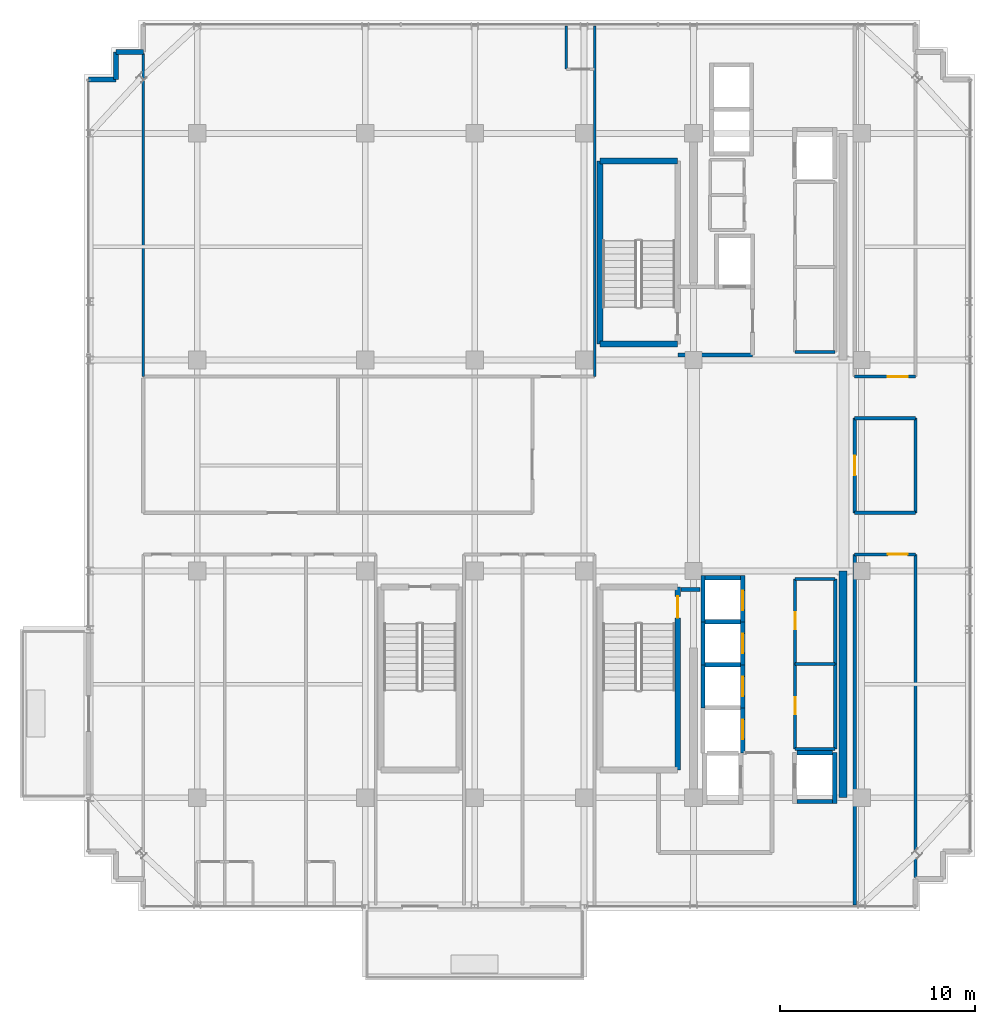
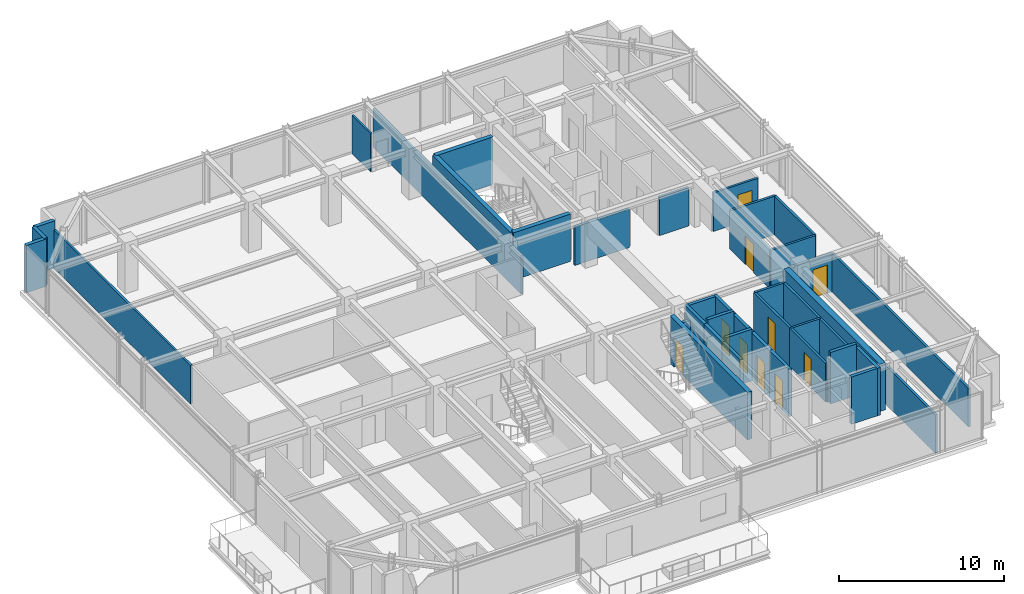
# One storey, part 26 of 31: 42 walls, 10 doors, 10 openings.
"""IFC4 building model written with IfcOpenShell, lengths in metres."""

from ifc_helpers import new_model, si_unit, direction, frame, frame_2d, origin, place, context, subcontext, project, spatial, rectangle, extrude, source, transform, mapped, material, layer, layer_set, type_object, element, fill, save


model = new_model("IFC4")

# Units and contexts
model_context = context("Model", 3, precision=1e-05, world=origin(), true_north=direction((0.0, 1.0)))
body_context = subcontext(model_context, "Body", "Model", "MODEL_VIEW")
ifc_project = project(units=[si_unit("LENGTHUNIT", "METRE"), si_unit("AREAUNIT", "SQUARE_METRE"), si_unit("VOLUMEUNIT", "CUBIC_METRE"), si_unit("PLANEANGLEUNIT", "RADIAN"), si_unit("MASSUNIT", "GRAM", prefix="KILO")], contexts=[model_context])

# Site, building, storey
site_placement = place(None, origin())
site = spatial("IfcSite", under=ifc_project, at=site_placement, CompositionType="ELEMENT")
building_placement = place(site_placement, origin())
building = spatial("IfcBuilding", under=site, at=building_placement, Name="Nahalor Promenade Grand Hotel", CompositionType="ELEMENT")
storey_placement = place(building_placement, frame((0.0, 0.0, 323.35009765625)))
storey = spatial("IfcBuildingStorey", under=building, at=storey_placement, Name="L83", CompositionType="ELEMENT", Elevation=323.35009765625)

# Walls
ifc_material_1 = material(Name="Concrete B-50 (C40/50)", Category="concrete")
ifc_layer_1 = layer(ifc_material_1, 0.39990234375)
ifc_layer_set_1 = layer_set([ifc_layer_1], Name="Concrete B-50 (C40/50)")
wall_type_1 = type_object("IfcWallType", Name="Wall-CoreShear-400", PredefinedType="SHEAR", material=ifc_layer_set_1)
shared_shape_1 = source(origin(), body_context, "Body", "SweptSolid", [
    extrude(rectangle(XDim=11.60009765625, YDim=0.39990234375, at=frame_2d((5.800048828125, 0.0))), origin(), (0.0, 0.0, 1.0), 3.5),
])
wall_1_placement = place(storey_placement, frame((16.050048828125, -17.0, 0.0), z_axis=(0.0, 0.0, 1.0), x_axis=(0.0, 1.0, 0.0)))
element("IfcWall", 1, at=wall_1_placement, inside=storey, type_object=wall_type_1, Name="CWALL-L83-SE", PredefinedType="SHEAR", context=body_context, shape_type="MappedRepresentation", body=[
    mapped(shared_shape_1, transform((0.0, 0.0, 0.0), scale=1.0)),
])
ifc_layer_2 = layer(ifc_material_1, 0.300048828125)
ifc_layer_set_2 = layer_set([ifc_layer_2], Name="Concrete B-50 (C40/50)")
wall_type_2 = type_object("IfcWallType", Name="Wall-ShaftShear-300", PredefinedType="SHEAR", material=ifc_layer_set_2)
shared_shape_2 = source(origin(), body_context, "Body", "SweptSolid", [
    extrude(rectangle(XDim=3.97998046875, YDim=0.300048828125, at=frame_2d((1.989990234375, 0.0))), origin(), (0.0, 0.0, 1.0), 3.5),
])
for number, where, z_axis, x_axis, name in (
    (2, (3.610107421875, 6.2099609375, 0.0), (0.0, 0.0, 1.0), (1.0, 0.0, 0.0), "L83 Exit Stair ST1 Shaft Wall S"),
    (3, (3.610107421875, 15.590087890625, 0.0), (0.0, 0.0, 1.0), (1.0, 0.0, 0.0), "L83 Exit Stair ST1 Shaft Wall N"),
):
    element("IfcWall", number, at=place(storey_placement, frame(where, z_axis=z_axis, x_axis=x_axis)), inside=storey, type_object=wall_type_2, Name=name, PredefinedType="SHEAR", context=body_context, shape_type="MappedRepresentation", body=[
        mapped(shared_shape_2, transform((0.0, 0.0, 0.0), scale=1.0)),
    ])
shared_shape_3 = source(origin(), body_context, "Body", "SweptSolid", [
    extrude(rectangle(XDim=9.380126953125, YDim=0.300048828125, at=frame_2d((4.68994140625, 0.0))), origin(), (0.0, 0.0, 1.0), 3.5),
])
wall_2_placement = place(storey_placement, frame((3.610107421875, 6.2099609375, 0.0), z_axis=(0.0, 0.0, 1.0), x_axis=(0.0, 1.0, 0.0)))
element("IfcWall", 4, at=wall_2_placement, inside=storey, type_object=wall_type_2, Name="L83 Exit Stair ST1 Shaft Wall W", PredefinedType="SHEAR", context=body_context, shape_type="MappedRepresentation", body=[
    mapped(shared_shape_3, transform((0.0, 0.0, 0.0), scale=1.0)),
])

# Wall, opening, door
wall_3_placement = place(storey_placement, frame((7.590087890625, -15.590087890625, 0.0), z_axis=(0.0, 0.0, 1.0), x_axis=(0.0, 1.0, 0.0)))
wall_3 = element("IfcWall", 5, at=wall_3_placement, inside=storey, type_object=wall_type_2, Name="L83 Exit Stair ST2 Shaft Wall E", PredefinedType="SHEAR", context=body_context, shape_type="MappedRepresentation", body=[
    mapped(shared_shape_3, transform((0.0, 0.0, 0.0), scale=1.0)),
])
opening_1_placement = place(wall_3_placement, frame((7.7900390625, 0.0, 0.0)))
opening_1 = element("IfcOpeningElement", 6, at=opening_1_placement, cuts=wall_3, Name="Opening D-ST1", PredefinedType="OPENING", context=body_context, shape_type="SweptSolid", body=[
    extrude(rectangle(XDim=1.10009765625, YDim=2.14990234375, at=frame_2d((0.550048828125, 1.074951171875))), frame((0.0, 0.159912109375, 0.0), z_axis=(0.0, -1.0, 0.0), x_axis=(1.0, 0.0, 0.0)), (0.0, 0.0, 1.0), 0.320068359375),
])
ifc_material_2 = material(Name="Steel S355JR", Category="steel")
door_type_1 = type_object("IfcDoorType", Name="Door-StairFire-1100", OperationType="NOTDEFINED", PredefinedType="DOOR", material=ifc_material_2)
shared_shape_4 = source(origin(), body_context, "Body", "SweptSolid", [
    extrude(rectangle(XDim=1.10009765625, YDim=2.14990234375, at=frame_2d((0.550048828125, 1.074951171875))), frame((0.0, 0.02490234375, 0.0), z_axis=(0.0, -1.0, 0.0), x_axis=(1.0, 0.0, 0.0)), (0.0, 0.0, 1.0), 0.050048828125),
])
door_1_placement = place(opening_1_placement, origin())
door_1 = element("IfcDoor", 7, at=door_1_placement, inside=storey, type_object=door_type_1, Name="DR-STAIR-ST2-L83", OperationType="SINGLE_SWING_RIGHT", OverallHeight=2.14990234375, OverallWidth=1.10009765625, PredefinedType="DOOR", context=body_context, shape_type="MappedRepresentation", body=[
    mapped(shared_shape_4, transform((0.0, 0.0, 0.0), scale=1.0)),
])
fill(opening_1, door_1)

# Wall
ifc_layer_3 = layer(ifc_material_1, 0.219970703125)
ifc_layer_set_3 = layer_set([ifc_layer_3], Name="Concrete B-50 (C40/50)")
wall_type_3 = type_object("IfcWallType", Name="Wall-LiftShaft-220", PredefinedType="SHEAR", material=ifc_layer_set_3)
shared_shape_5 = source(origin(), body_context, "Body", "SweptSolid", [
    extrude(rectangle(XDim=2.360107421875, YDim=0.219970703125, at=frame_2d((1.18017578125, 0.0))), origin(), (0.0, 0.0, 1.0), 3.5),
])
wall_4_placement = place(storey_placement, frame((8.8798828125, -8.0, 0.0), z_axis=(0.0, 0.0, 1.0), x_axis=(0.0, 1.0, 0.0)))
element("IfcWall", 8, at=wall_4_placement, inside=storey, type_object=wall_type_3, Name="L83 Lift PL9 Hoistway Wall W", PredefinedType="SHEAR", context=body_context, shape_type="MappedRepresentation", body=[
    mapped(shared_shape_5, transform((0.0, 0.0, 0.0), scale=1.0)),
])

# Wall, opening, door
wall_5_placement = place(storey_placement, frame((10.919921875, -8.0, 0.0), z_axis=(0.0, 0.0, 1.0), x_axis=(0.0, 1.0, 0.0)))
wall_5 = element("IfcWall", 9, at=wall_5_placement, inside=storey, type_object=wall_type_3, Name="L83 Lift PL9 Hoistway Wall E", PredefinedType="SHEAR", context=body_context, shape_type="MappedRepresentation", body=[
    mapped(shared_shape_5, transform((0.0, 0.0, 0.0), scale=1.0)),
])
opening_2_placement = place(wall_5_placement, frame((0.60009765625, 0.0, 0.0)))
opening_2 = element("IfcOpeningElement", 10, at=opening_2_placement, cuts=wall_5, Name="Opening LD-01", PredefinedType="OPENING", context=body_context, shape_type="SweptSolid", body=[
    extrude(rectangle(XDim=1.0, YDim=2.199951171875, at=frame_2d((0.5, 1.10009765625))), frame((0.0, 0.119873046875, 0.0), z_axis=(0.0, -1.0, 0.0), x_axis=(1.0, 0.0, 0.0)), (0.0, 0.0, 1.0), 0.239990234375),
])
door_type_2 = type_object("IfcDoorType", Name="Door-LiftLanding-1000", OperationType="DOUBLE_DOOR_SLIDING", PredefinedType="DOOR", material=ifc_material_2)
shared_shape_6 = source(origin(), body_context, "Body", "SweptSolid", [
    extrude(rectangle(XDim=1.0, YDim=2.199951171875, at=frame_2d((0.5, 1.10009765625))), frame((0.0, 0.02490234375, 0.0), z_axis=(0.0, -1.0, 0.0), x_axis=(1.0, 0.0, 0.0)), (0.0, 0.0, 1.0), 0.050048828125),
])
door_2_placement = place(opening_2_placement, frame((1.0, 0.0, 0.0), z_axis=(0.0, 0.0, 1.0), x_axis=(-1.0, 0.0, 0.0)))
door_2 = element("IfcDoor", 11, at=door_2_placement, inside=storey, type_object=door_type_2, Name="DR-LIFT-PL9-L83", OperationType="DOUBLE_DOOR_SLIDING", OverallHeight=2.199951171875, OverallWidth=1.0, PredefinedType="DOOR", context=body_context, shape_type="MappedRepresentation", body=[
    mapped(shared_shape_6, transform((0.0, 0.0, 0.0), scale=1.0)),
])
fill(opening_2, door_2)

# Walls
shared_shape_7 = source(origin(), body_context, "Body", "SweptSolid", [
    extrude(rectangle(XDim=1.820068359375, YDim=0.219970703125, at=frame_2d((0.91015625, 0.0))), origin(), (0.0, 0.0, 1.0), 3.5),
])
for number, where, z_axis, x_axis, name in (
    (12, (8.989990234375, -5.75, 0.0), (0.0, 0.0, 1.0), (1.0, 0.0, 0.0), "L83 Lift PL9 Hoistway Wall N"),
    (13, (13.68994140625, -17.199951171875, 0.0), (0.0, 0.0, 1.0), (1.0, 0.0, 0.0), "L83 Lift SV2 Hoistway Wall S"),
):
    element("IfcWall", number, at=place(storey_placement, frame(where, z_axis=z_axis, x_axis=x_axis)), inside=storey, type_object=wall_type_3, Name=name, PredefinedType="SHEAR", context=body_context, shape_type="MappedRepresentation", body=[
        mapped(shared_shape_7, transform((0.0, 0.0, 0.0), scale=1.0)),
    ])
shared_shape_8 = source(origin(), body_context, "Body", "SweptSolid", [
    extrude(rectangle(XDim=2.199951171875, YDim=0.219970703125, at=frame_2d((1.10009765625, 0.0))), origin(), (0.0, 0.0, 1.0), 3.5),
])
wall_6_placement = place(storey_placement, frame((8.8798828125, -10.199951171875, 0.0), z_axis=(0.0, 0.0, 1.0), x_axis=(0.0, 1.0, 0.0)))
element("IfcWall", 14, at=wall_6_placement, inside=storey, type_object=wall_type_3, Name="L83 Lift PL10 Hoistway Wall W", PredefinedType="SHEAR", context=body_context, shape_type="MappedRepresentation", body=[
    mapped(shared_shape_8, transform((0.0, 0.0, 0.0), scale=1.0)),
])

# Wall, opening, door
wall_7_placement = place(storey_placement, frame((10.919921875, -10.199951171875, 0.0), z_axis=(0.0, 0.0, 1.0), x_axis=(0.0, 1.0, 0.0)))
wall_7 = element("IfcWall", 15, at=wall_7_placement, inside=storey, type_object=wall_type_3, Name="L83 Lift PL10 Hoistway Wall E", PredefinedType="SHEAR", context=body_context, shape_type="MappedRepresentation", body=[
    mapped(shared_shape_8, transform((0.0, 0.0, 0.0), scale=1.0)),
])
opening_3_placement = place(wall_7_placement, frame((0.60009765625, 0.0, 0.0)))
opening_3 = element("IfcOpeningElement", 16, at=opening_3_placement, cuts=wall_7, Name="Opening LD-01", PredefinedType="OPENING", context=body_context, shape_type="SweptSolid", body=[
    extrude(rectangle(XDim=1.0, YDim=2.199951171875, at=frame_2d((0.5, 1.10009765625))), frame((0.0, 0.119873046875, 0.0), z_axis=(0.0, -1.0, 0.0), x_axis=(1.0, 0.0, 0.0)), (0.0, 0.0, 1.0), 0.239990234375),
])
door_3_placement = place(opening_3_placement, frame((1.0, 0.0, 0.0), z_axis=(0.0, 0.0, 1.0), x_axis=(-1.0, 0.0, 0.0)))
door_3 = element("IfcDoor", 17, at=door_3_placement, inside=storey, type_object=door_type_2, Name="DR-LIFT-PL10-L83", OperationType="DOUBLE_DOOR_SLIDING", OverallHeight=2.199951171875, OverallWidth=1.0, PredefinedType="DOOR", context=body_context, shape_type="MappedRepresentation", body=[
    mapped(shared_shape_6, transform((0.0, 0.0, 0.0), scale=1.0)),
])
fill(opening_3, door_3)

# Wall
wall_8_placement = place(storey_placement, frame((8.8798828125, -12.39990234375, 0.0), z_axis=(0.0, 0.0, 1.0), x_axis=(0.0, 1.0, 0.0)))
element("IfcWall", 18, at=wall_8_placement, inside=storey, type_object=wall_type_3, Name="L83 Lift PL11 Hoistway Wall W", PredefinedType="SHEAR", context=body_context, shape_type="MappedRepresentation", body=[
    mapped(shared_shape_8, transform((0.0, 0.0, 0.0), scale=1.0)),
])

# Wall, opening, door
wall_9_placement = place(storey_placement, frame((10.919921875, -12.39990234375, 0.0), z_axis=(0.0, 0.0, 1.0), x_axis=(0.0, 1.0, 0.0)))
wall_9 = element("IfcWall", 19, at=wall_9_placement, inside=storey, type_object=wall_type_3, Name="L83 Lift PL11 Hoistway Wall E", PredefinedType="SHEAR", context=body_context, shape_type="MappedRepresentation", body=[
    mapped(shared_shape_8, transform((0.0, 0.0, 0.0), scale=1.0)),
])
opening_4_placement = place(wall_9_placement, frame((0.60009765625, 0.0, 0.0)))
opening_4 = element("IfcOpeningElement", 20, at=opening_4_placement, cuts=wall_9, Name="Opening LD-01", PredefinedType="OPENING", context=body_context, shape_type="SweptSolid", body=[
    extrude(rectangle(XDim=1.0, YDim=2.199951171875, at=frame_2d((0.5, 1.10009765625))), frame((0.0, 0.119873046875, 0.0), z_axis=(0.0, -1.0, 0.0), x_axis=(1.0, 0.0, 0.0)), (0.0, 0.0, 1.0), 0.239990234375),
])
door_4_placement = place(opening_4_placement, frame((1.0, 0.0, 0.0), z_axis=(0.0, 0.0, 1.0), x_axis=(-1.0, 0.0, 0.0)))
door_4 = element("IfcDoor", 21, at=door_4_placement, inside=storey, type_object=door_type_2, Name="DR-LIFT-PL11-L83", OperationType="DOUBLE_DOOR_SLIDING", OverallHeight=2.199951171875, OverallWidth=1.0, PredefinedType="DOOR", context=body_context, shape_type="MappedRepresentation", body=[
    mapped(shared_shape_6, transform((0.0, 0.0, 0.0), scale=1.0)),
])
fill(opening_4, door_4)

# Walls
shared_shape_9 = source(origin(), body_context, "Body", "SweptSolid", [
    extrude(rectangle(XDim=1.820068359375, YDim=0.219970703125, at=frame_2d((0.91015625, 0.0))), origin(), (0.0, 0.0, 1.0), 3.7998046875),
])
for number, where, z_axis, x_axis, name in (
    (22, (8.989990234375, -8.0, 0.0), (0.0, 0.0, 1.0), (1.0, 0.0, 0.0), "L83 Lift PL10 Hoistway Wall N"),
    (23, (8.989990234375, -10.199951171875, 0.0), (0.0, 0.0, 1.0), (1.0, 0.0, 0.0), "L83 Lift PL11 Hoistway Wall N"),
    (24, (13.68994140625, -14.699951171875, 0.0), (0.0, 0.0, 1.0), (1.0, 0.0, 0.0), "L83 Lift SV2 Hoistway Wall N"),
):
    element("IfcWall", number, at=place(storey_placement, frame(where, z_axis=z_axis, x_axis=x_axis)), inside=storey, type_object=wall_type_3, Name=name, PredefinedType="SHEAR", context=body_context, shape_type="MappedRepresentation", body=[
        mapped(shared_shape_9, transform((0.0, 0.0, 0.0), scale=1.0)),
    ])

# Wall, opening, door
shared_shape_10 = source(origin(), body_context, "Body", "SweptSolid", [
    extrude(rectangle(XDim=2.3251953125, YDim=0.219970703125, at=frame_2d((1.16259765625, 0.0))), origin(), (0.0, 0.0, 1.0), 3.5),
])
wall_10_placement = place(storey_placement, frame((10.919921875, -14.72509765625, 0.0), z_axis=(0.0, 0.0, 1.0), x_axis=(0.0, 1.0, 0.0)))
wall_10 = element("IfcWall", 25, at=wall_10_placement, inside=storey, type_object=wall_type_3, Name="L83 Lift PL12 Hoistway Wall E", PredefinedType="SHEAR", context=body_context, shape_type="MappedRepresentation", body=[
    mapped(shared_shape_10, transform((0.0, 0.0, 0.0), scale=1.0)),
])
opening_5_placement = place(wall_10_placement, frame((0.72509765625, 0.0, 0.0)))
opening_5 = element("IfcOpeningElement", 26, at=opening_5_placement, cuts=wall_10, Name="Opening LD-01", PredefinedType="OPENING", context=body_context, shape_type="SweptSolid", body=[
    extrude(rectangle(XDim=1.0, YDim=2.199951171875, at=frame_2d((0.5, 1.10009765625))), frame((0.0, 0.119873046875, 0.0), z_axis=(0.0, -1.0, 0.0), x_axis=(1.0, 0.0, 0.0)), (0.0, 0.0, 1.0), 0.239990234375),
])
door_5_placement = place(opening_5_placement, frame((1.0, 0.0, 0.0), z_axis=(0.0, 0.0, 1.0), x_axis=(-1.0, 0.0, 0.0)))
door_5 = element("IfcDoor", 27, at=door_5_placement, inside=storey, type_object=door_type_2, Name="DR-LIFT-PL12-L83", OperationType="DOUBLE_DOOR_SLIDING", OverallHeight=2.199951171875, OverallWidth=1.0, PredefinedType="DOOR", context=body_context, shape_type="MappedRepresentation", body=[
    mapped(shared_shape_6, transform((0.0, 0.0, 0.0), scale=1.0)),
])
fill(opening_5, door_5)

# Walls
shared_shape_11 = source(origin(), body_context, "Body", "SweptSolid", [
    extrude(rectangle(XDim=2.610107421875, YDim=0.219970703125, at=frame_2d((1.30517578125, 0.0))), origin(), (0.0, 0.0, 1.0), 3.5),
])
wall_11_placement = place(storey_placement, frame((15.6201171875, -17.31005859375, 0.0), z_axis=(0.0, 0.0, 1.0), x_axis=(0.0, 1.0, 0.0)))
element("IfcWall", 28, at=wall_11_placement, inside=storey, type_object=wall_type_3, Name="L83 Lift SV2 Hoistway Wall E", PredefinedType="SHEAR", context=body_context, shape_type="MappedRepresentation", body=[
    mapped(shared_shape_11, transform((0.0, 0.0, 0.0), scale=1.0)),
])
ifc_material_3 = material(Name="Concrete B-40 (C32/40)", Category="concrete")
ifc_layer_4 = layer(ifc_material_3, 0.25)
ifc_layer_set_4 = layer_set([ifc_layer_4], Name="Concrete B-40 (C32/40)")
wall_type_4 = type_object("IfcWallType", Name="Wall-BronzePier-250", PredefinedType="STANDARD", material=ifc_layer_set_4)
shared_shape_12 = source(origin(), body_context, "Body", "SweptSolid", [
    extrude(rectangle(XDim=1.400146484375, YDim=0.25, at=frame_2d((0.7001953125, 0.0))), origin(), (0.0, 0.0, 1.0), 3.5),
])
wall_12_placement = place(storey_placement, frame((-22.56005859375, 19.760009765625, 0.0), z_axis=(0.0, 0.0, 1.0), x_axis=(1.0, 0.0, 0.0)))
element("IfcWall", 29, at=wall_12_placement, inside=storey, type_object=wall_type_4, Name="W-L83-SR-12", PredefinedType="STANDARD", context=body_context, shape_type="MappedRepresentation", body=[
    mapped(shared_shape_12, transform((0.0, 0.0, 0.0), scale=1.0)),
])
shared_shape_13 = source(origin(), body_context, "Body", "SweptSolid", [
    extrude(rectangle(XDim=1.39990234375, YDim=0.25, at=frame_2d((0.699951171875, 0.0))), origin(), (0.0, 0.0, 1.0), 3.5),
])
for number, where, z_axis, x_axis, name in (
    (30, (-21.159912109375, 21.159912109375, 0.0), (0.0, 0.0, 1.0), (1.0, 0.0, 0.0), "W-L83-SR-10"),
    (31, (-21.159912109375, 19.760009765625, 0.0), (0.0, 0.0, 1.0), (0.0, 1.0, 0.0), "W-L83-SR-11"),
):
    element("IfcWall", number, at=place(storey_placement, frame(where, z_axis=z_axis, x_axis=x_axis)), inside=storey, type_object=wall_type_4, Name=name, PredefinedType="STANDARD", context=body_context, shape_type="MappedRepresentation", body=[
        mapped(shared_shape_13, transform((0.0, 0.0, 0.0), scale=1.0)),
    ])
ifc_layer_5 = layer(ifc_material_3, 0.199951171875)
ifc_layer_set_5 = layer_set([ifc_layer_5], Name="Concrete B-40 (C32/40)")
wall_type_5 = type_object("IfcWallType", Name="Wall-PartFire-200", PredefinedType="PARTITIONING", material=ifc_layer_set_5)
shared_shape_14 = source(origin(), body_context, "Body", "SweptSolid", [
    extrude(rectangle(XDim=3.81982421875, YDim=0.199951171875, at=frame_2d((1.909912109375, 0.0))), origin(), (0.0, 0.0, 1.0), 2.83984375),
])
wall_13_placement = place(storey_placement, frame((7.60009765625, 5.64990234375, 0.0), z_axis=(0.0, 0.0, 1.0), x_axis=(1.0, 0.0, 0.0)))
element("IfcWall", 32, at=wall_13_placement, inside=storey, type_object=wall_type_5, Name="W-L83-FF1-S", PredefinedType="PARTITIONING", context=body_context, shape_type="MappedRepresentation", body=[
    mapped(shared_shape_14, transform((0.0, 0.0, 0.0), scale=1.0)),
])
shared_shape_15 = source(origin(), body_context, "Body", "SweptSolid", [
    extrude(rectangle(XDim=0.969970703125, YDim=0.199951171875, at=frame_2d((0.48486328125, 0.0))), origin(), (0.0, 0.0, 1.0), 2.83984375),
])
wall_14_placement = place(storey_placement, frame((7.77001953125, -6.35009765625, 0.0), z_axis=(0.0, 0.0, 1.0), x_axis=(1.0, 0.0, 0.0)))
element("IfcWall", 33, at=wall_14_placement, inside=storey, type_object=wall_type_5, Name="W-L83-FF2-N2", PredefinedType="PARTITIONING", context=body_context, shape_type="MappedRepresentation", body=[
    mapped(shared_shape_15, transform((0.0, 0.0, 0.0), scale=1.0)),
])
ifc_material_4 = material(Name="Acoustic Mineral Gypsum", Category="gypsum")
ifc_layer_6 = layer(ifc_material_4, 0.159912109375)
ifc_layer_set_6 = layer_set([ifc_layer_6], Name="Acoustic Mineral Gypsum")
wall_type_6 = type_object("IfcWallType", Name="Wall-PartCorridor-160", PredefinedType="PARTITIONING", material=ifc_layer_set_6)
shared_shape_16 = source(origin(), body_context, "Body", "SweptSolid", [
    extrude(rectangle(XDim=2.0498046875, YDim=0.159912109375, at=frame_2d((1.02490234375, 0.0))), origin(), (0.0, 0.0, 1.0), 2.83984375),
])
for number, where, z_axis, x_axis, name in (
    (34, (13.60009765625, 5.800048828125, 0.0), (0.0, 0.0, 1.0), (1.0, 0.0, 0.0), "W-L83-FRB1A-S"),
    (35, (13.60009765625, -14.5, 0.0), (0.0, 0.0, 1.0), (1.0, 0.0, 0.0), "W-L83-FRB2A-S"),
    (36, (13.60009765625, -10.14990234375, 0.0), (0.0, 0.0, 1.0), (1.0, 0.0, 0.0), "W-L83-FRB2A-N"),
    (37, (13.60009765625, -5.800048828125, 0.0), (0.0, 0.0, 1.0), (1.0, 0.0, 0.0), "W-L83-FRB2B-N"),
):
    element("IfcWall", number, at=place(storey_placement, frame(where, z_axis=z_axis, x_axis=x_axis)), inside=storey, type_object=wall_type_6, Name=name, PredefinedType="PARTITIONING", context=body_context, shape_type="MappedRepresentation", body=[
        mapped(shared_shape_16, transform((0.0, 0.0, 0.0), scale=1.0)),
    ])

# Wall, opening, door
shared_shape_17 = source(origin(), body_context, "Body", "SweptSolid", [
    extrude(rectangle(XDim=3.110107421875, YDim=0.159912109375, at=frame_2d((1.55517578125, 0.0))), origin(), (0.0, 0.0, 1.0), 2.83984375),
])
wall_15_placement = place(storey_placement, frame((16.64990234375, 4.550048828125, 0.0), z_axis=(0.0, 0.0, 1.0), x_axis=(1.0, 0.0, 0.0)))
wall_15 = element("IfcWall", 38, at=wall_15_placement, inside=storey, type_object=wall_type_6, Name="W-L83-ENE-S", PredefinedType="PARTITIONING", context=body_context, shape_type="MappedRepresentation", body=[
    mapped(shared_shape_17, transform((0.0, 0.0, 0.0), scale=1.0)),
])
opening_6_placement = place(wall_15_placement, frame((1.700927734375, 0.0, 0.0)))
opening_6 = element("IfcOpeningElement", 39, at=opening_6_placement, cuts=wall_15, Name="Opening D-04", PredefinedType="OPENING", context=body_context, shape_type="SweptSolid", body=[
    extrude(rectangle(XDim=1.0, YDim=2.10009765625, at=frame_2d((0.5, 1.050048828125))), frame((0.0, 0.08984375, 0.0), z_axis=(0.0, -1.0, 0.0), x_axis=(1.0, 0.0, 0.0)), (0.0, 0.0, 1.0), 0.179931640625),
])
door_type_3 = type_object("IfcDoorType", Name="Door-ServiceFire-1000", OperationType="NOTDEFINED", PredefinedType="DOOR", material=ifc_material_2)
shared_shape_18 = source(origin(), body_context, "Body", "SweptSolid", [
    extrude(rectangle(XDim=1.0, YDim=2.10009765625, at=frame_2d((0.5, 1.050048828125))), frame((0.0, 0.02490234375, 0.0), z_axis=(0.0, -1.0, 0.0), x_axis=(1.0, 0.0, 0.0)), (0.0, 0.0, 1.0), 0.050048828125),
])
door_6_placement = place(opening_6_placement, origin())
door_6 = element("IfcDoor", 40, at=door_6_placement, inside=storey, type_object=door_type_3, Name="DR-L83-ENE", OperationType="SINGLE_SWING_RIGHT", OverallHeight=2.10009765625, OverallWidth=1.0, PredefinedType="DOOR", context=body_context, shape_type="MappedRepresentation", body=[
    mapped(shared_shape_18, transform((0.0, 0.0, 0.0), scale=1.0)),
])
fill(opening_6, door_6)

wall_16_placement = place(storey_placement, frame((16.64990234375, -4.550048828125, 0.0), z_axis=(0.0, 0.0, 1.0), x_axis=(1.0, 0.0, 0.0)))
wall_16 = element("IfcWall", 41, at=wall_16_placement, inside=storey, type_object=wall_type_6, Name="W-L83-ESE-N", PredefinedType="PARTITIONING", context=body_context, shape_type="MappedRepresentation", body=[
    mapped(shared_shape_17, transform((0.0, 0.0, 0.0), scale=1.0)),
])
opening_7_placement = place(wall_16_placement, frame((1.700927734375, 0.0, 0.0)))
opening_7 = element("IfcOpeningElement", 42, at=opening_7_placement, cuts=wall_16, Name="Opening D-04", PredefinedType="OPENING", context=body_context, shape_type="SweptSolid", body=[
    extrude(rectangle(XDim=1.0, YDim=2.10009765625, at=frame_2d((0.5, 1.050048828125))), frame((0.0, 0.08984375, 0.0), z_axis=(0.0, -1.0, 0.0), x_axis=(1.0, 0.0, 0.0)), (0.0, 0.0, 1.0), 0.179931640625),
])
door_7_placement = place(opening_7_placement, frame((1.0, 0.0, 0.0), z_axis=(0.0, 0.0, 1.0), x_axis=(-1.0, 0.0, 0.0)))
door_7 = element("IfcDoor", 43, at=door_7_placement, inside=storey, type_object=door_type_3, Name="DR-L83-ESE", OperationType="SINGLE_SWING_LEFT", OverallHeight=2.10009765625, OverallWidth=1.0, PredefinedType="DOOR", context=body_context, shape_type="MappedRepresentation", body=[
    mapped(shared_shape_18, transform((0.0, 0.0, 0.0), scale=1.0)),
])
fill(opening_7, door_7)

# Walls
for number, where, z_axis, x_axis, name in (
    (44, (16.64990234375, -2.419921875, 0.0), (0.0, 0.0, 1.0), (1.0, 0.0, 0.0), "W-L83-ECW-S"),
    (45, (16.64990234375, 2.419921875, 0.0), (0.0, 0.0, 1.0), (1.0, 0.0, 0.0), "W-L83-ECW-N"),
):
    element("IfcWall", number, at=place(storey_placement, frame(where, z_axis=z_axis, x_axis=x_axis)), inside=storey, type_object=wall_type_6, Name=name, PredefinedType="PARTITIONING", context=body_context, shape_type="MappedRepresentation", body=[
        mapped(shared_shape_17, transform((0.0, 0.0, 0.0), scale=1.0)),
    ])
shared_shape_19 = source(origin(), body_context, "Body", "SweptSolid", [
    extrude(rectangle(XDim=17.949951171875, YDim=0.159912109375, at=frame_2d((8.97509765625, 0.0))), origin(), (0.0, 0.0, 1.0), 2.83984375),
])
wall_17_placement = place(storey_placement, frame((16.64990234375, -22.5, 0.0), z_axis=(0.0, 0.0, 1.0), x_axis=(0.0, 1.0, 0.0)))
element("IfcWall", 46, at=wall_17_placement, inside=storey, type_object=wall_type_6, Name="W-L83-ESE-W", PredefinedType="PARTITIONING", context=body_context, shape_type="MappedRepresentation", body=[
    mapped(shared_shape_19, transform((0.0, 0.0, 0.0), scale=1.0)),
])
shared_shape_20 = source(origin(), body_context, "Body", "SweptSolid", [
    extrude(rectangle(XDim=16.530029296875, YDim=0.159912109375, at=frame_2d((8.26513671875, 0.0))), origin(), (0.0, 0.0, 1.0), 2.83984375),
])
wall_18_placement = place(storey_placement, frame((19.760009765625, -21.080078125, 0.0), z_axis=(0.0, 0.0, 1.0), x_axis=(0.0, 1.0, 0.0)))
element("IfcWall", 47, at=wall_18_placement, inside=storey, type_object=wall_type_6, Name="W-L83-ESE-E", PredefinedType="PARTITIONING", context=body_context, shape_type="MappedRepresentation", body=[
    mapped(shared_shape_20, transform((0.0, 0.0, 0.0), scale=1.0)),
])
ifc_layer_7 = layer(ifc_material_4, 0.139892578125)
ifc_layer_set_7 = layer_set([ifc_layer_7], Name="Acoustic Mineral Gypsum")
wall_type_7 = type_object("IfcWallType", Name="Wall-PartSuite-140", PredefinedType="PARTITIONING", material=ifc_layer_set_7)
shared_shape_21 = source(origin(), body_context, "Body", "SweptSolid", [
    extrude(rectangle(XDim=16.530029296875, YDim=0.139892578125, at=frame_2d((8.26513671875, 0.0))), origin(), (0.0, 0.0, 1.0), 2.83984375),
])
wall_19_placement = place(storey_placement, frame((-19.760009765625, 4.550048828125, 0.0), z_axis=(0.0, 0.0, 1.0), x_axis=(0.0, 1.0, 0.0)))
element("IfcWall", 48, at=wall_19_placement, inside=storey, type_object=wall_type_7, Name="W-L83-NW-ENDW", PredefinedType="PARTITIONING", context=body_context, shape_type="MappedRepresentation", body=[
    mapped(shared_shape_21, transform((0.0, 0.0, 0.0), scale=1.0)),
])
shared_shape_22 = source(origin(), body_context, "Body", "SweptSolid", [
    extrude(rectangle(XDim=17.949951171875, YDim=0.139892578125, at=frame_2d((8.97509765625, 0.0))), origin(), (0.0, 0.0, 1.0), 2.83984375),
])
wall_20_placement = place(storey_placement, frame((3.340087890625, 4.550048828125, 0.0), z_axis=(0.0, 0.0, 1.0), x_axis=(0.0, 1.0, 0.0)))
element("IfcWall", 49, at=wall_20_placement, inside=storey, type_object=wall_type_7, Name="W-L83-NW-ENDE", PredefinedType="PARTITIONING", context=body_context, shape_type="MappedRepresentation", body=[
    mapped(shared_shape_22, transform((0.0, 0.0, 0.0), scale=1.0)),
])
ifc_layer_8 = layer(ifc_material_4, 0.1201171875)
ifc_layer_set_8 = layer_set([ifc_layer_8], Name="Acoustic Mineral Gypsum")
wall_type_8 = type_object("IfcWallType", Name="Wall-PartBath-120", PredefinedType="PARTITIONING", material=ifc_layer_set_8)
shared_shape_23 = source(origin(), body_context, "Body", "SweptSolid", [
    extrude(rectangle(XDim=2.219970703125, YDim=0.1201171875, at=frame_2d((1.10986328125, 0.0))), origin(), (0.0, 0.0, 1.0), 2.83984375),
])
wall_21_placement = place(storey_placement, frame((1.889892578125, 20.280029296875, 0.0), z_axis=(0.0, 0.0, 1.0), x_axis=(0.0, 1.0, 0.0)))
element("IfcWall", 50, at=wall_21_placement, inside=storey, type_object=wall_type_8, Name="W-L83-N1-BV", PredefinedType="PARTITIONING", context=body_context, shape_type="MappedRepresentation", body=[
    mapped(shared_shape_23, transform((0.0, 0.0, 0.0), scale=1.0)),
])

# Wall, opening, door
shared_shape_24 = source(origin(), body_context, "Body", "SweptSolid", [
    extrude(rectangle(XDim=4.83984375, YDim=0.159912109375, at=frame_2d((2.419921875, 0.0))), origin(), (0.0, 0.0, 1.0), 2.83984375),
])
wall_22_placement = place(storey_placement, frame((16.64990234375, -2.419921875, 0.0), z_axis=(0.0, 0.0, 1.0), x_axis=(0.0, 1.0, 0.0)))
wall_22 = element("IfcWall", 51, at=wall_22_placement, inside=storey, type_object=wall_type_6, Name="W-L83-ECW-W", PredefinedType="PARTITIONING", context=body_context, shape_type="MappedRepresentation", body=[
    mapped(shared_shape_24, transform((0.0, 0.0, 0.0), scale=1.0)),
])
opening_8_placement = place(wall_22_placement, frame((1.919921875, 0.0, 0.0)))
opening_8 = element("IfcOpeningElement", 52, at=opening_8_placement, cuts=wall_22, Name="Opening D-04", PredefinedType="OPENING", context=body_context, shape_type="SweptSolid", body=[
    extrude(rectangle(XDim=1.0, YDim=2.10009765625, at=frame_2d((0.5, 1.050048828125))), frame((0.0, 0.08984375, 0.0), z_axis=(0.0, -1.0, 0.0), x_axis=(1.0, 0.0, 0.0)), (0.0, 0.0, 1.0), 0.179931640625),
])
door_8_placement = place(opening_8_placement, frame((1.0, 0.0, 0.0), z_axis=(0.0, 0.0, 1.0), x_axis=(-1.0, 0.0, 0.0)))
door_8 = element("IfcDoor", 53, at=door_8_placement, inside=storey, type_object=door_type_3, Name="DR-L83-ECW", OperationType="SINGLE_SWING_RIGHT", OverallHeight=2.10009765625, OverallWidth=1.0, PredefinedType="DOOR", context=body_context, shape_type="MappedRepresentation", body=[
    mapped(shared_shape_18, transform((0.0, 0.0, 0.0), scale=1.0)),
])
fill(opening_8, door_8)

# Wall
wall_23_placement = place(storey_placement, frame((19.760009765625, -2.419921875, 0.0), z_axis=(0.0, 0.0, 1.0), x_axis=(0.0, 1.0, 0.0)))
element("IfcWall", 54, at=wall_23_placement, inside=storey, type_object=wall_type_6, Name="W-L83-ECW-E", PredefinedType="PARTITIONING", context=body_context, shape_type="MappedRepresentation", body=[
    mapped(shared_shape_24, transform((0.0, 0.0, 0.0), scale=1.0)),
])

# Wall, opening, door
shared_shape_25 = source(origin(), body_context, "Body", "SweptSolid", [
    extrude(rectangle(XDim=4.349853515625, YDim=0.159912109375, at=frame_2d((2.1748046875, 0.0))), origin(), (0.0, 0.0, 1.0), 2.83984375),
])
wall_24_placement = place(storey_placement, frame((13.60009765625, -10.14990234375, 0.0), z_axis=(0.0, 0.0, 1.0), x_axis=(0.0, 1.0, 0.0)))
wall_24 = element("IfcWall", 55, at=wall_24_placement, inside=storey, type_object=wall_type_6, Name="W-L83-FRB2B-W", PredefinedType="PARTITIONING", context=body_context, shape_type="MappedRepresentation", body=[
    mapped(shared_shape_25, transform((0.0, 0.0, 0.0), scale=1.0)),
])
opening_9_placement = place(wall_24_placement, frame((1.760009765625, 0.0, 0.0)))
opening_9 = element("IfcOpeningElement", 56, at=opening_9_placement, cuts=wall_24, Name="Opening D-03", PredefinedType="OPENING", context=body_context, shape_type="SweptSolid", body=[
    extrude(rectangle(XDim=0.8798828125, YDim=2.10009765625, at=frame_2d((0.43994140625, 1.050048828125))), frame((0.0, 0.08984375, 0.0), z_axis=(0.0, -1.0, 0.0), x_axis=(1.0, 0.0, 0.0)), (0.0, 0.0, 1.0), 0.179931640625),
])
ifc_material_5 = material(Name="Fire-Rated Timber Composite", Category="wood")
door_type_4 = type_object("IfcDoorType", Name="Door-BathSwing-880", OperationType="NOTDEFINED", PredefinedType="DOOR", material=ifc_material_5)
shared_shape_26 = source(origin(), body_context, "Body", "SweptSolid", [
    extrude(rectangle(XDim=0.8798828125, YDim=2.10009765625, at=frame_2d((0.43994140625, 1.050048828125))), frame((0.0, 0.02490234375, 0.0), z_axis=(0.0, -1.0, 0.0), x_axis=(1.0, 0.0, 0.0)), (0.0, 0.0, 1.0), 0.050048828125),
])
door_9_placement = place(opening_9_placement, frame((0.8798828125, 0.0, 0.0), z_axis=(0.0, 0.0, 1.0), x_axis=(-1.0, 0.0, 0.0)))
door_9 = element("IfcDoor", 57, at=door_9_placement, inside=storey, type_object=door_type_4, Name="DR-L83-FRB2B", OperationType="SINGLE_SWING_LEFT", OverallHeight=2.10009765625, OverallWidth=0.8798828125, PredefinedType="DOOR", context=body_context, shape_type="MappedRepresentation", body=[
    mapped(shared_shape_26, transform((0.0, 0.0, 0.0), scale=1.0)),
])
fill(opening_9, door_9)

# Wall
wall_25_placement = place(storey_placement, frame((15.64990234375, -10.14990234375, 0.0), z_axis=(0.0, 0.0, 1.0), x_axis=(0.0, 1.0, 0.0)))
element("IfcWall", 58, at=wall_25_placement, inside=storey, type_object=wall_type_6, Name="W-L83-FRB2B-E", PredefinedType="PARTITIONING", context=body_context, shape_type="MappedRepresentation", body=[
    mapped(shared_shape_25, transform((0.0, 0.0, 0.0), scale=1.0)),
])

# Wall, opening, door
shared_shape_27 = source(origin(), body_context, "Body", "SweptSolid", [
    extrude(rectangle(XDim=4.35009765625, YDim=0.159912109375, at=frame_2d((2.175048828125, 0.0))), origin(), (0.0, 0.0, 1.0), 2.83984375),
])
wall_26_placement = place(storey_placement, frame((13.60009765625, -14.5, 0.0), z_axis=(0.0, 0.0, 1.0), x_axis=(0.0, 1.0, 0.0)))
wall_26 = element("IfcWall", 59, at=wall_26_placement, inside=storey, type_object=wall_type_6, Name="W-L83-FRB2A-W", PredefinedType="PARTITIONING", context=body_context, shape_type="MappedRepresentation", body=[
    mapped(shared_shape_27, transform((0.0, 0.0, 0.0), scale=1.0)),
])
opening_10_placement = place(wall_26_placement, frame((1.760009765625, 0.0, 0.0)))
opening_10 = element("IfcOpeningElement", 60, at=opening_10_placement, cuts=wall_26, Name="Opening D-03", PredefinedType="OPENING", context=body_context, shape_type="SweptSolid", body=[
    extrude(rectangle(XDim=0.8798828125, YDim=2.10009765625, at=frame_2d((0.43994140625, 1.050048828125))), frame((0.0, 0.08984375, 0.0), z_axis=(0.0, -1.0, 0.0), x_axis=(1.0, 0.0, 0.0)), (0.0, 0.0, 1.0), 0.179931640625),
])
door_10_placement = place(opening_10_placement, frame((0.8798828125, 0.0, 0.0), z_axis=(0.0, 0.0, 1.0), x_axis=(-1.0, 0.0, 0.0)))
door_10 = element("IfcDoor", 61, at=door_10_placement, inside=storey, type_object=door_type_4, Name="DR-L83-FRB2A", OperationType="SINGLE_SWING_RIGHT", OverallHeight=2.10009765625, OverallWidth=0.8798828125, PredefinedType="DOOR", context=body_context, shape_type="MappedRepresentation", body=[
    mapped(shared_shape_26, transform((0.0, 0.0, 0.0), scale=1.0)),
])
fill(opening_10, door_10)

# Wall
wall_27_placement = place(storey_placement, frame((15.64990234375, -14.5, 0.0), z_axis=(0.0, 0.0, 1.0), x_axis=(0.0, 1.0, 0.0)))
element("IfcWall", 62, at=wall_27_placement, inside=storey, type_object=wall_type_6, Name="W-L83-FRB2A-E", PredefinedType="PARTITIONING", context=body_context, shape_type="MappedRepresentation", body=[
    mapped(shared_shape_27, transform((0.0, 0.0, 0.0), scale=1.0)),
])

save(model, "model.ifc")
